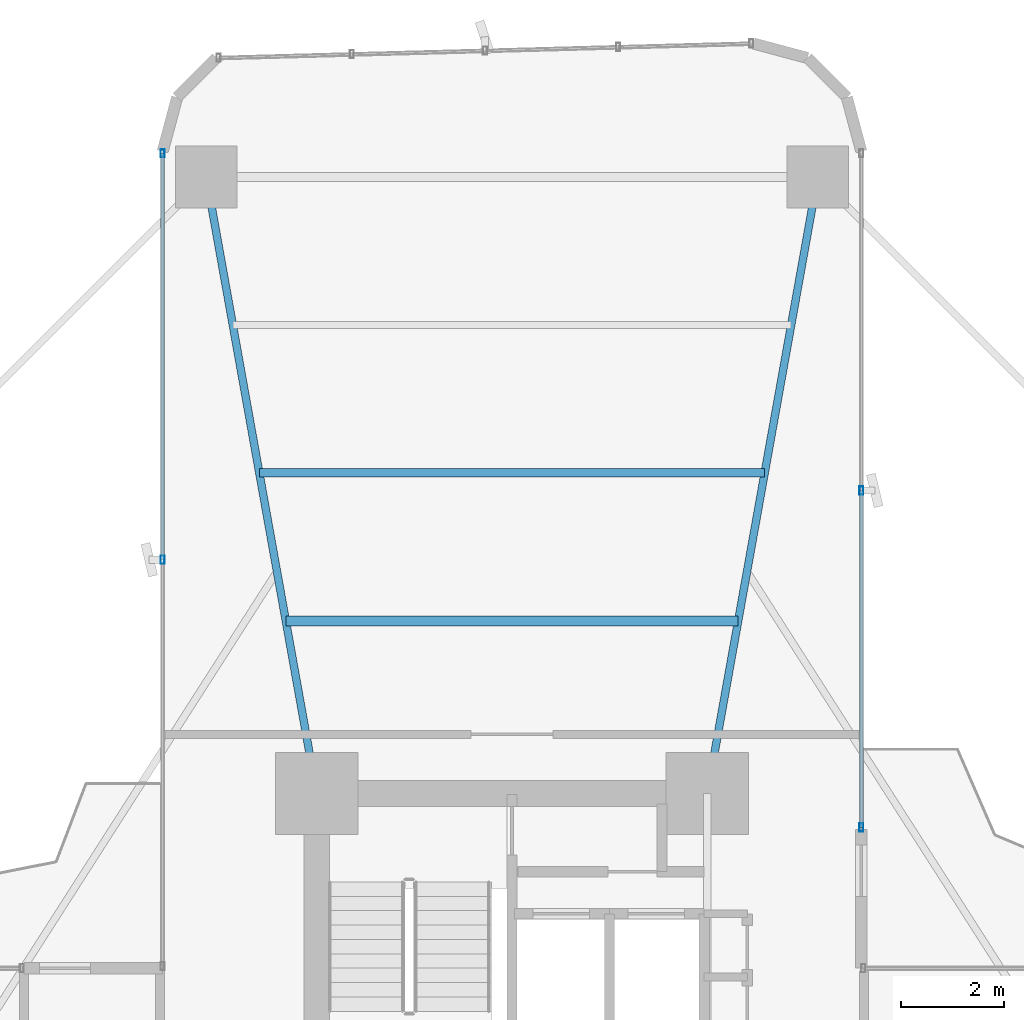
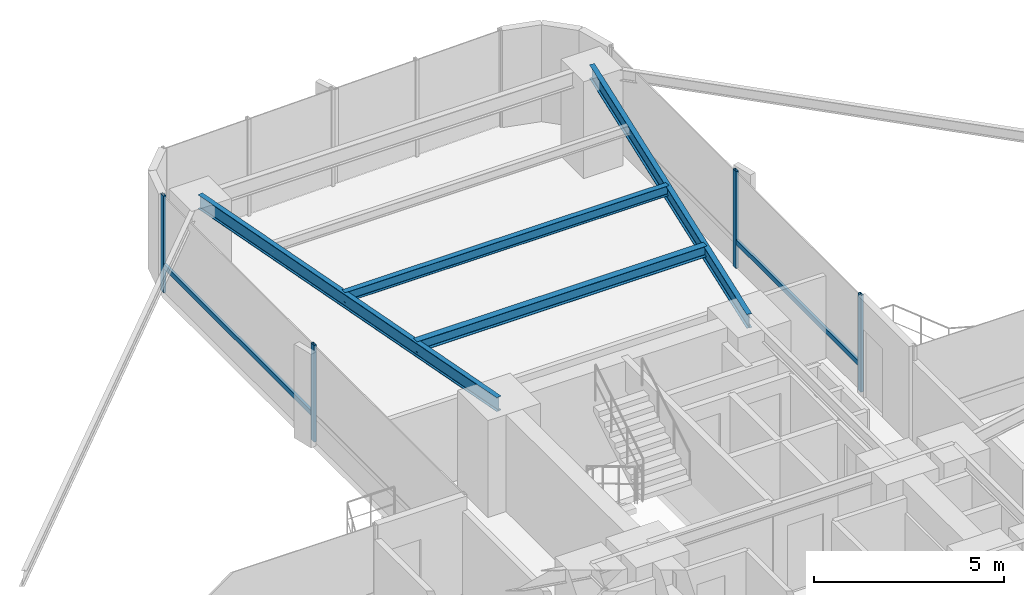
# One storey, part 18 of 25: 6 members, 4 beams, 2 elements without a shape of their own.
"""IFC4 building model written with IfcOpenShell, lengths in metres."""

from ifc_helpers import new_model, si_unit, direction, frame, origin, origin_2d, place, context, subcontext, project, spatial, hollow_rectangle, i_section, extrude, source, transform, mapped, material, material_profile, profile_set, type_object, element, aggregate, save


model = new_model("IFC4")

# Units and contexts
model_context = context("Model", 3, precision=1e-05, world=origin(), true_north=direction((0.0, 1.0)))
body_context = subcontext(model_context, "Body", "Model", "MODEL_VIEW")
ifc_project = project(units=[si_unit("LENGTHUNIT", "METRE"), si_unit("AREAUNIT", "SQUARE_METRE"), si_unit("VOLUMEUNIT", "CUBIC_METRE"), si_unit("PLANEANGLEUNIT", "RADIAN"), si_unit("MASSUNIT", "GRAM", prefix="KILO")], contexts=[model_context])

# Site, building, storey
site_placement = place(None, origin())
site = spatial("IfcSite", under=ifc_project, at=site_placement, CompositionType="ELEMENT")
building_placement = place(site_placement, origin())
building = spatial("IfcBuilding", under=site, at=building_placement, Name="Sahyath Konkavel Grand Hotel", CompositionType="ELEMENT")
storey_placement = place(building_placement, frame((0.0, 0.0, 33.14990234375)))
storey = spatial("IfcBuildingStorey", under=building, at=storey_placement, Name="L08", CompositionType="ELEMENT", Elevation=33.14990234375)

# Beams
ifc_material_1 = material(Name="Steel E350", Category="steel")
ifc_material_profile_1 = material_profile(ifc_material_1, i_section(OverallWidth=0.14990234375, OverallDepth=0.449951171875, WebThickness=0.009521484375, FlangeThickness=0.017333984375, FilletRadius=0.014892578125, at=origin_2d()), Name="ISMB 450")
ifc_profile_set_1 = profile_set([ifc_material_profile_1], Name="Steel E350")
beam_type_1 = type_object("IfcBeamType", Name="BM-ISMB450", PredefinedType="BEAM", material=ifc_profile_set_1)
shared_shape_1 = source(origin(), body_context, "Body", "SweptSolid", [
    extrude(i_section(OverallWidth=0.14990234375, OverallDepth=0.449951171875, WebThickness=0.009521484375, FlangeThickness=0.017333984375, FilletRadius=0.014892578125, at=origin_2d()), origin(), (0.0, 0.0, 1.0), 12.191162109375),
])
for number, where, z_axis, x_axis, name in (
    (1, (3.800048828125, 10.199951171875, 2.885009765625), (0.176350650305, 0.984327409014, 0.0), (-0.984327409014, 0.176350650305, 0.0), "L08 Cruciform Radial Girder NA"),
    (2, (-3.800048828125, 10.199951171875, 2.885009765625), (-0.176350650305, 0.984327409014, 0.0), (-0.984327409014, -0.176350650305, 0.0), "L08 Cruciform Radial Girder NB"),
):
    element("IfcBeam", number, at=place(storey_placement, frame(where, z_axis=z_axis, x_axis=x_axis)), inside=storey, type_object=beam_type_1, Name=name, PredefinedType="BEAM", context=body_context, shape_type="MappedRepresentation", body=[
        mapped(shared_shape_1, transform((0.0, 0.0, 0.0), scale=1.0)),
    ])
ifc_material_profile_2 = material_profile(ifc_material_1, i_section(OverallWidth=0.199951171875, OverallDepth=0.35009765625, WebThickness=0.008056640625, FlangeThickness=0.011474609375, FilletRadius=0.013916015625, at=origin_2d()), Name="ISWB 350")
ifc_profile_set_2 = profile_set([ifc_material_profile_2], Name="Steel E350")
beam_type_2 = type_object("IfcBeamType", Name="BM-ISWB350", PredefinedType="BEAM", material=ifc_profile_set_2)
shared_shape_2 = source(origin(), body_context, "Body", "SweptSolid", [
    extrude(i_section(OverallWidth=0.199951171875, OverallDepth=0.35009765625, WebThickness=0.008056640625, FlangeThickness=0.011474609375, FilletRadius=0.013916015625, at=origin_2d()), origin(), (0.0, 0.0, 1.0), 8.80419921875),
])
beam_1_placement = place(storey_placement, frame((4.402099609375, 13.56005859375, 2.93505859375), z_axis=(-1.0, 0.0, 0.0), x_axis=(0.0, -1.0, 0.0)))
element("IfcBeam", 3, at=beam_1_placement, inside=storey, type_object=beam_type_2, Name="L08 Secondary Floor Beam N-1", PredefinedType="BEAM", context=body_context, shape_type="MappedRepresentation", body=[
    mapped(shared_shape_2, transform((0.0, 0.0, 0.0), scale=1.0)),
])
ifc_material_profile_3 = material_profile(ifc_material_1, i_section(OverallWidth=0.1650390625, OverallDepth=0.324951171875, WebThickness=0.007080078125, FlangeThickness=0.009765625, FilletRadius=0.014892578125, at=origin_2d()), Name="ISLB 325")
ifc_profile_set_3 = profile_set([ifc_material_profile_3], Name="Steel E350")
beam_type_3 = type_object("IfcBeamType", Name="BM-ISLB325", PredefinedType="BEAM", material=ifc_profile_set_3)
shared_shape_3 = source(origin(), body_context, "Body", "SweptSolid", [
    extrude(i_section(OverallWidth=0.1650390625, OverallDepth=0.324951171875, WebThickness=0.007080078125, FlangeThickness=0.009765625, FilletRadius=0.014892578125, at=origin_2d()), origin(), (0.0, 0.0, 1.0), 9.8359375),
])
beam_2_placement = place(storey_placement, frame((4.91796875, 16.43994140625, 2.947509765625), z_axis=(-1.0, 0.0, 0.0), x_axis=(0.0, -1.0, 0.0)))
element("IfcBeam", 4, at=beam_2_placement, inside=storey, type_object=beam_type_3, Name="L08 Secondary Floor Beam N-2", PredefinedType="BEAM", context=body_context, shape_type="MappedRepresentation", body=[
    mapped(shared_shape_3, transform((0.0, 0.0, 0.0), scale=1.0)),
])

# Curtain wall, member
ifc_material_2 = material(Name="Anodised Bronze Aluminium & Low-E Glazing", Category="aluminium")
curtain_wall_type = type_object("IfcCurtainWallType", Name="CW-ZONE1", PredefinedType="NOTDEFINED", material=ifc_material_2)
curtain_wall_1_placement = place(storey_placement, origin())
curtain_wall_1 = element("IfcCurtainWall", 5, at=curtain_wall_1_placement, inside=storey, type_object=curtain_wall_type, Name="L08 Unitised Curtain Wall F15", PredefinedType="NOTDEFINED")
ifc_material_3 = material(Name="Anodised Bronze Aluminium", Category="aluminium")
ifc_material_profile_4 = material_profile(ifc_material_3, hollow_rectangle(XDim=0.080078125, YDim=0.159912109375, WallThickness=0.006103515625, at=origin_2d()), Name="RHS 160x80x6")
ifc_profile_set_4 = profile_set([ifc_material_profile_4], Name="Anodised Bronze Aluminium")
member_type_1 = type_object("IfcMemberType", Name="CW-TRN-160", PredefinedType="USERDEFINED", material=ifc_profile_set_4)
shared_shape_4 = source(origin(), body_context, "Body", "SweptSolid", [
    extrude(hollow_rectangle(XDim=0.080078125, YDim=0.159912109375, WallThickness=0.006103515625, at=origin_2d()), origin(), (0.0, 0.0, 1.0), 7.909912109375),
])
member_1_placement = place(storey_placement, frame((-6.800048828125, 22.659912109375, 0.85009765625), z_axis=(0.0, -1.0, 0.0), x_axis=(1.0, 0.0, 0.0)))
member_1 = element("IfcMember", 6, at=member_1_placement, type_object=member_type_1, Name="L08 Curtain Wall Transom F15-0-spandrel", ObjectType="TRANSOM", PredefinedType="USERDEFINED", context=body_context, shape_type="MappedRepresentation", body=[
    mapped(shared_shape_4, transform((0.0, 0.0, 0.0), scale=1.0)),
])

# Curtain wall, members
curtain_wall_2_placement = place(storey_placement, origin())
curtain_wall_2 = element("IfcCurtainWall", 7, at=curtain_wall_2_placement, inside=storey, type_object=curtain_wall_type, Name="L08 Unitised Curtain Wall F8", PredefinedType="NOTDEFINED")
ifc_material_profile_5 = material_profile(ifc_material_3, hollow_rectangle(XDim=0.080078125, YDim=0.159912109375, WallThickness=0.006103515625, at=origin_2d()), Name="RHS 160x80x6")
ifc_profile_set_5 = profile_set([ifc_material_profile_5], Name="Anodised Bronze Aluminium")
member_type_2 = type_object("IfcMemberType", Name="CW-MUL-160", PredefinedType="MULLION", material=ifc_profile_set_5)
shared_shape_5 = source(origin(), body_context, "Body", "SweptSolid", [
    extrude(hollow_rectangle(XDim=0.080078125, YDim=0.159912109375, WallThickness=0.006103515625, at=origin_2d()), origin(), (0.0, 0.0, 1.0), 3.110107421875),
])
member_2_placement = place(storey_placement, frame((6.800048828125, 9.5400390625, 0.0), z_axis=(0.0, 0.0, 1.0), x_axis=(1.0, 0.0, 0.0)))
member_2 = element("IfcMember", 8, at=member_2_placement, type_object=member_type_2, Name="L08 Curtain Wall Mullion F8-0", PredefinedType="MULLION", context=body_context, shape_type="MappedRepresentation", body=[
    mapped(shared_shape_5, transform((0.0, 0.0, 0.0), scale=1.0)),
])
member_3_placement = place(storey_placement, frame((6.800048828125, 16.10009765625, 0.0), z_axis=(0.0, 0.0, 1.0), x_axis=(1.0, 0.0, 0.0)))
member_3 = element("IfcMember", 9, at=member_3_placement, type_object=member_type_2, Name="L08 Curtain Wall Mullion F8-1", PredefinedType="MULLION", context=body_context, shape_type="MappedRepresentation", body=[
    mapped(shared_shape_5, transform((0.0, 0.0, 0.0), scale=1.0)),
])

# Member
member_4_placement = place(storey_placement, frame((-6.800048828125, 22.659912109375, 0.0), z_axis=(0.0, 0.0, 1.0), x_axis=(1.0, 0.0, 0.0)))
member_4 = element("IfcMember", 10, at=member_4_placement, type_object=member_type_2, Name="L08 Curtain Wall Mullion F15-0", PredefinedType="MULLION", context=body_context, shape_type="MappedRepresentation", body=[
    mapped(shared_shape_5, transform((0.0, 0.0, 0.0), scale=1.0)),
])

member_5_placement = place(storey_placement, frame((-6.800048828125, 14.75, 0.0), z_axis=(0.0, 0.0, 1.0), x_axis=(1.0, 0.0, 0.0)))
member_5 = element("IfcMember", 11, at=member_5_placement, type_object=member_type_2, Name="L08 Curtain Wall Mullion F15-1", PredefinedType="MULLION", context=body_context, shape_type="MappedRepresentation", body=[
    mapped(shared_shape_5, transform((0.0, 0.0, 0.0), scale=1.0)),
])

aggregate(curtain_wall_1, [member_4, member_5, member_1])

shared_shape_6 = source(origin(), body_context, "Body", "SweptSolid", [
    extrude(hollow_rectangle(XDim=0.080078125, YDim=0.159912109375, WallThickness=0.006103515625, at=origin_2d()), origin(), (0.0, 0.0, 1.0), 6.56005859375),
])
member_6_placement = place(storey_placement, frame((6.800048828125, 9.5400390625, 0.85009765625), z_axis=(0.0, 1.0, 0.0), x_axis=(-1.0, 0.0, 0.0)))
member_6 = element("IfcMember", 12, at=member_6_placement, type_object=member_type_1, Name="L08 Curtain Wall Transom F8-0-spandrel", ObjectType="TRANSOM", PredefinedType="USERDEFINED", context=body_context, shape_type="MappedRepresentation", body=[
    mapped(shared_shape_6, transform((0.0, 0.0, 0.0), scale=1.0)),
])

aggregate(curtain_wall_2, [member_2, member_3, member_6])

save(model, "model.ifc")
